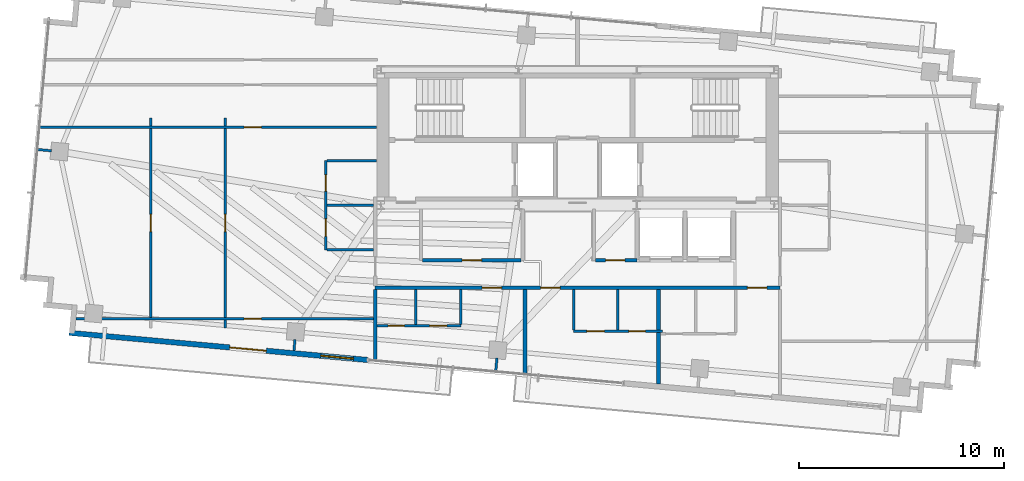
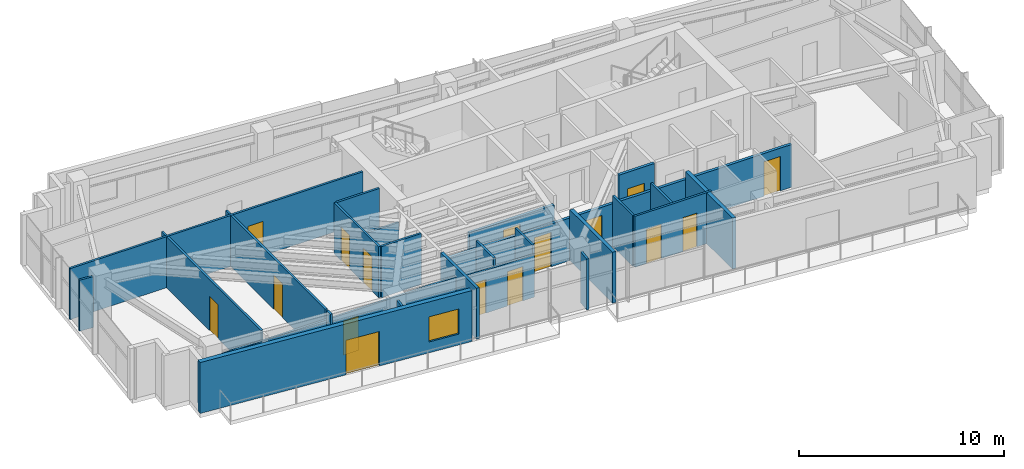
# One storey, part 16 of 22: 28 walls, 16 doors, 1 window, 17 openings.
"""IFC4 building model written with IfcOpenShell, lengths in metres."""

from ifc_helpers import new_model, si_unit, direction, frame, frame_2d, origin, place, context, subcontext, project, spatial, rectangle, extrude, source, transform, mapped, material, layer, layer_set, type_object, type_shapes, element, fill, save


model = new_model("IFC4")

# Units and contexts
model_context = context("Model", 3, precision=1e-05, world=origin(), true_north=direction((0.0, 1.0)))
body_context = subcontext(model_context, "Body", "Model", "MODEL_VIEW")
ifc_project = project(units=[si_unit("LENGTHUNIT", "METRE"), si_unit("AREAUNIT", "SQUARE_METRE"), si_unit("VOLUMEUNIT", "CUBIC_METRE"), si_unit("PLANEANGLEUNIT", "RADIAN"), si_unit("MASSUNIT", "GRAM", prefix="KILO")], contexts=[model_context])

# Site, building, storey
site_placement = place(None, origin())
site = spatial("IfcSite", under=ifc_project, at=site_placement, CompositionType="ELEMENT")
building_placement = place(site_placement, origin())
building = spatial("IfcBuilding", under=site, at=building_placement, Name="Astriad Promenade Condominiums", CompositionType="ELEMENT")
storey_placement = place(building_placement, frame((0.0, 0.0, 243.0)))
storey = spatial("IfcBuildingStorey", under=building, at=storey_placement, Name="L70", CompositionType="ELEMENT", Elevation=243.0)

# Wall, openings, doors
ifc_material_1 = material(Name="Fire-Rated Gypsum Partition")
ifc_layer_1 = layer(ifc_material_1, 0.159912109375)
ifc_layer_set_1 = layer_set([ifc_layer_1], Name="Fire-Rated Gypsum Partition")
wall_type_1 = type_object("IfcWallType", Name="WALL-CORR-160", PredefinedType="PARTITIONING", material=ifc_layer_set_1)
wall_1_placement = place(storey_placement, frame((26.1201171875, 13.360107421875, 0.0), z_axis=(0.0, 0.0, 1.0), x_axis=(1.0, 0.0, 0.0)))
wall_1 = element("IfcWall", 1, at=wall_1_placement, inside=storey, type_object=wall_type_1, Name="PT-COR-S-L70", PredefinedType="PARTITIONING", context=body_context, shape_type="SweptSolid", body=[
    extrude(rectangle(XDim=19.759765625, YDim=0.159912109375, at=frame_2d((9.8798828125, 0.0))), origin(), (0.0, 0.0, 1.0), 2.5498046875),
])
opening_1_placement = place(wall_1_placement, frame((5.220947265625, 0.0, 0.0)))
opening_1 = element("IfcOpeningElement", 2, at=opening_1_placement, cuts=wall_1, Name="Opening FD60-APT-095", PredefinedType="OPENING", context=body_context, shape_type="SweptSolid", body=[
    extrude(rectangle(XDim=0.949951171875, YDim=2.06005859375, at=frame_2d((0.47509765625, 1.030029296875))), frame((0.0, 0.08984375, 0.0), z_axis=(0.0, -1.0, 0.0), x_axis=(1.0, 0.0, 0.0)), (0.0, 0.0, 1.0), 0.179931640625),
])
opening_2_placement = place(wall_1_placement, frame((8.073974609375, 0.0, 0.0)))
opening_2 = element("IfcOpeningElement", 3, at=opening_2_placement, cuts=wall_1, Name="Opening FD60-APT-095", PredefinedType="OPENING", context=body_context, shape_type="SweptSolid", body=[
    extrude(rectangle(XDim=0.949951171875, YDim=2.06005859375, at=frame_2d((0.47509765625, 1.030029296875))), frame((0.0, 0.08984375, 0.0), z_axis=(0.0, -1.0, 0.0), x_axis=(1.0, 0.0, 0.0)), (0.0, 0.0, 1.0), 0.179931640625),
])
opening_3_placement = place(wall_1_placement, frame((18.169921875, 0.0, 0.0)))
opening_3 = element("IfcOpeningElement", 4, at=opening_3_placement, cuts=wall_1, Name="Opening FD60-APT-095", PredefinedType="OPENING", context=body_context, shape_type="SweptSolid", body=[
    extrude(rectangle(XDim=0.949951171875, YDim=2.06005859375, at=frame_2d((0.47509765625, 1.030029296875))), frame((0.0, 0.08984375, 0.0), z_axis=(0.0, -1.0, 0.0), x_axis=(1.0, 0.0, 0.0)), (0.0, 0.0, 1.0), 0.179931640625),
])
ifc_material_2 = material(Name="Solid-Core Acoustic Timber Residence Entry Door", Category="wood")
door_type_1 = type_object("IfcDoorType", Name="FD60-APT-095", OperationType="NOTDEFINED", PredefinedType="DOOR", material=ifc_material_2)
shared_shape_1 = source(origin(), body_context, "Body", "SweptSolid", [
    extrude(rectangle(XDim=0.949951171875, YDim=2.06005859375, at=frame_2d((0.47509765625, 1.030029296875))), frame((0.0, 0.02490234375, 0.0), z_axis=(0.0, -1.0, 0.0), x_axis=(1.0, 0.0, 0.0)), (0.0, 0.0, 1.0), 0.050048828125),
])
type_shapes(door_type_1, [shared_shape_1])
door_1_placement = place(opening_1_placement, origin())
door_1 = element("IfcDoor", 5, at=door_1_placement, inside=storey, type_object=door_type_1, Name="D-ENT-L70-S1", OperationType="SINGLE_SWING_LEFT", OverallHeight=2.06005859375, OverallWidth=0.949951171875, PredefinedType="DOOR", context=body_context, shape_type="MappedRepresentation", body=[
    mapped(shared_shape_1, transform((0.0, 0.0, 0.0), scale=1.0)),
])
fill(opening_1, door_1)
door_2_placement = place(opening_2_placement, origin())
door_2 = element("IfcDoor", 6, at=door_2_placement, inside=storey, type_object=door_type_1, Name="D-ENT-L70-S2", OperationType="SINGLE_SWING_RIGHT", OverallHeight=2.06005859375, OverallWidth=0.949951171875, PredefinedType="DOOR", context=body_context, shape_type="MappedRepresentation", body=[
    mapped(shared_shape_1, transform((0.0, 0.0, 0.0), scale=1.0)),
])
fill(opening_2, door_2)
door_3_placement = place(opening_3_placement, origin())
door_3 = element("IfcDoor", 7, at=door_3_placement, inside=storey, type_object=door_type_1, Name="D-ENT-L70-S3", OperationType="SINGLE_SWING_LEFT", OverallHeight=2.06005859375, OverallWidth=0.949951171875, PredefinedType="DOOR", context=body_context, shape_type="MappedRepresentation", body=[
    mapped(shared_shape_1, transform((0.0, 0.0, 0.0), scale=1.0)),
])
fill(opening_3, door_3)

# Wall
wall_2_placement = place(storey_placement, frame((26.1201171875, 9.75146484375, 0.0), z_axis=(0.0, 0.0, 1.0), x_axis=(0.0, 1.0, 0.0)))
element("IfcWall", 8, at=wall_2_placement, inside=storey, type_object=wall_type_1, Name="PT-COR-W-L70", PredefinedType="PARTITIONING", context=body_context, shape_type="SweptSolid", body=[
    extrude(rectangle(XDim=3.526611328125, YDim=0.159912109375, at=frame_2d((1.76318359375, 0.0))), origin(), (0.0, 0.0, 1.0), 3.0400390625),
])

# Wall, opening, door
wall_3_placement = place(storey_placement, frame((28.44189453125, 14.699951171875, 0.0), z_axis=(0.0, 0.0, 1.0), x_axis=(1.0, 0.0, 0.0)))
wall_3 = element("IfcWall", 9, at=wall_3_placement, inside=storey, type_object=wall_type_1, Name="PT-Z3REC-S-L70", PredefinedType="PARTITIONING", context=body_context, shape_type="SweptSolid", body=[
    extrude(rectangle(XDim=4.796142578125, YDim=0.159912109375, at=frame_2d((2.39794921875, 0.0))), origin(), (0.0, 0.0, 1.0), 2.5498046875),
])
opening_4_placement = place(wall_3_placement, frame((1.923095703125, 0.0, 0.0)))
opening_4 = element("IfcOpeningElement", 10, at=opening_4_placement, cuts=wall_3, Name="Opening FD60-APT-095", PredefinedType="OPENING", context=body_context, shape_type="SweptSolid", body=[
    extrude(rectangle(XDim=0.949951171875, YDim=2.06005859375, at=frame_2d((0.47509765625, 1.030029296875))), frame((0.0, 0.08984375, 0.0), z_axis=(0.0, -1.0, 0.0), x_axis=(1.0, 0.0, 0.0)), (0.0, 0.0, 1.0), 0.179931640625),
])
door_4_placement = place(opening_4_placement, origin())
door_4 = element("IfcDoor", 11, at=door_4_placement, inside=storey, type_object=door_type_1, Name="D-Z3R-L70", OperationType="SINGLE_SWING_RIGHT", OverallHeight=2.06005859375, OverallWidth=0.949951171875, PredefinedType="DOOR", context=body_context, shape_type="MappedRepresentation", body=[
    mapped(shared_shape_1, transform((0.0, 0.0, 0.0), scale=1.0)),
])
fill(opening_4, door_4)

wall_4_placement = place(storey_placement, frame((36.882080078125, 14.699951171875, 0.0), z_axis=(0.0, 0.0, 1.0), x_axis=(1.0, 0.0, 0.0)))
wall_4 = element("IfcWall", 12, at=wall_4_placement, inside=storey, type_object=wall_type_1, Name="PT-Z3R2-S-L70", PredefinedType="PARTITIONING", context=body_context, shape_type="SweptSolid", body=[
    extrude(rectangle(XDim=2.017822265625, YDim=0.159912109375, at=frame_2d((1.0087890625, 0.0))), origin(), (0.0, 0.0, 1.0), 3.0400390625),
])
opening_5_placement = place(wall_4_placement, frame((0.48291015625, 0.0, 0.0)))
opening_5 = element("IfcOpeningElement", 13, at=opening_5_placement, cuts=wall_4, Name="Opening FD60-APT-095", PredefinedType="OPENING", context=body_context, shape_type="SweptSolid", body=[
    extrude(rectangle(XDim=0.949951171875, YDim=2.06005859375, at=frame_2d((0.47509765625, 1.030029296875))), frame((0.0, 0.08984375, 0.0), z_axis=(0.0, -1.0, 0.0), x_axis=(1.0, 0.0, 0.0)), (0.0, 0.0, 1.0), 0.179931640625),
])
door_5_placement = place(opening_5_placement, origin())
door_5 = element("IfcDoor", 14, at=door_5_placement, inside=storey, type_object=door_type_1, Name="D-Z3N-L70", OperationType="SINGLE_SWING_LEFT", OverallHeight=2.06005859375, OverallWidth=0.949951171875, PredefinedType="DOOR", context=body_context, shape_type="MappedRepresentation", body=[
    mapped(shared_shape_1, transform((0.0, 0.0, 0.0), scale=1.0)),
])
fill(opening_5, door_5)

# Walls
ifc_material_3 = material(Name="Acoustic Double-Stud Gypsum Partition")
ifc_layer_2 = layer(ifc_material_3, 0.199951171875)
ifc_layer_set_2 = layer_set([ifc_layer_2], Name="Acoustic Double-Stud Gypsum Partition")
wall_type_2 = type_object("IfcWallType", Name="WALL-DEMISING-200", PredefinedType="PARTITIONING", material=ifc_layer_set_2)
wall_5_placement = place(storey_placement, frame((33.430908203125, 9.086181640625, 0.0), z_axis=(0.0, 0.0, 1.0), x_axis=(0.0, 1.0, 0.0)))
element("IfcWall", 15, at=wall_5_placement, inside=storey, type_object=wall_type_2, Name="PT-DEM-S1-L70", PredefinedType="PARTITIONING", context=body_context, shape_type="SweptSolid", body=[
    extrude(rectangle(XDim=4.19189453125, YDim=0.199951171875, at=frame_2d((2.095947265625, 0.0))), origin(), (0.0, 0.0, 1.0), 3.0400390625),
])
wall_6_placement = place(storey_placement, frame((39.951904296875, 8.67529296875, 0.0), z_axis=(0.0, 0.0, 1.0), x_axis=(0.0, 1.0, 0.0)))
element("IfcWall", 16, at=wall_6_placement, inside=storey, type_object=wall_type_2, Name="PT-DEM-S2-L70", PredefinedType="PARTITIONING", context=body_context, shape_type="SweptSolid", body=[
    extrude(rectangle(XDim=2.51171875, YDim=0.199951171875, at=frame_2d((1.255859375, 0.0))), origin(), (0.0, 0.0, 1.0), 3.0400390625),
])
wall_7_placement = place(storey_placement, frame((39.951904296875, 11.31103515625, 0.0), z_axis=(0.0, 0.0, 1.0), x_axis=(0.0, 1.0, 0.0)))
element("IfcWall", 17, at=wall_7_placement, inside=storey, type_object=wall_type_2, Name="PT-DEM-S2-L70-S2", PredefinedType="PARTITIONING", context=body_context, shape_type="SweptSolid", body=[
    extrude(rectangle(XDim=1.967041015625, YDim=0.199951171875, at=frame_2d((0.9833984375, 0.0))), origin(), (0.0, 0.0, 1.0), 3.0400390625),
])

# Wall, openings, door, window
ifc_material_4 = material(Name="Precast concrete C50/60", Category="concrete")
ifc_layer_3 = layer(ifc_material_4, 0.260009765625)
ifc_layer_set_3 = layer_set([ifc_layer_3], Name="Precast concrete C50/60")
wall_type_3 = type_object("IfcWallType", Name="WALL-EXT-TWR-260", PredefinedType="STANDARD", material=ifc_layer_set_3)
wall_8_placement = place(storey_placement, frame((25.760986328125, 9.83447265625, 0.0), z_axis=(0.0, 0.0, 1.0), x_axis=(-0.995884584572, 0.090630536861, 0.0)))
wall_8 = element("IfcWall", 18, at=wall_8_placement, inside=storey, type_object=wall_type_3, Name="W-EXT-L70-S2", PredefinedType="STANDARD", context=body_context, shape_type="SweptSolid", body=[
    extrude(rectangle(XDim=14.630126953125, YDim=0.260009765625, at=frame_2d((7.31494140625, 0.0))), origin(), (0.0, 0.0, 1.0), 3.0400390625),
])
opening_6_placement = place(wall_8_placement, frame((4.969970703125, 0.0, 0.0)))
opening_6 = element("IfcOpeningElement", 19, at=opening_6_placement, cuts=wall_8, Name="Opening BD-1822-SLD", PredefinedType="OPENING", context=body_context, shape_type="SweptSolid", body=[
    extrude(rectangle(XDim=1.800048828125, YDim=2.06005859375, at=frame_2d((0.89990234375, 1.030029296875))), frame((0.0, 0.139892578125, 0.0), z_axis=(0.0, -1.0, 0.0), x_axis=(1.0, 0.0, 0.0)), (0.0, 0.0, 1.0), 0.280029296875),
])
opening_7_placement = place(wall_8_placement, frame((0.699951171875, 0.0, 0.64990234375)))
opening_7 = element("IfcOpeningElement", 20, at=opening_7_placement, cuts=wall_8, Name="Opening WIN-TWR-1620", PredefinedType="OPENING", context=body_context, shape_type="SweptSolid", body=[
    extrude(rectangle(XDim=1.60009765625, YDim=1.5, at=frame_2d((0.800048828125, 0.75))), frame((0.0, 0.139892578125, 0.0), z_axis=(0.0, -1.0, 0.0), x_axis=(1.0, 0.0, 0.0)), (0.0, 0.0, 1.0), 0.280029296875),
])
ifc_material_5 = material(Name="Thermally Broken Aluminium Sliding Balcony Door", Category="aluminium")
door_type_2 = type_object("IfcDoorType", Name="BD-1822-SLD", OperationType="NOTDEFINED", PredefinedType="DOOR", material=ifc_material_5)
shared_shape_2 = source(origin(), body_context, "Body", "SweptSolid", [
    extrude(rectangle(XDim=1.800048828125, YDim=2.06005859375, at=frame_2d((0.89990234375, 1.030029296875))), frame((0.0, 0.02490234375, 0.0), z_axis=(0.0, -1.0, 0.0), x_axis=(1.0, 0.0, 0.0)), (0.0, 0.0, 1.0), 0.050048828125),
])
type_shapes(door_type_2, [shared_shape_2])
door_6_placement = place(opening_6_placement, origin())
door_6 = element("IfcDoor", 21, at=door_6_placement, inside=storey, type_object=door_type_2, Name="BD-L70-SW", OperationType="SLIDING_TO_LEFT", OverallHeight=2.06005859375, OverallWidth=1.800048828125, PredefinedType="DOOR", context=body_context, shape_type="MappedRepresentation", body=[
    mapped(shared_shape_2, transform((0.0, 0.0, 0.0), scale=1.0)),
])
fill(opening_6, door_6)
ifc_material_6 = material(Name="Dark Tinted Triple-Glazed Aluminium Window", Category="aluminium")
window_type = type_object("IfcWindowType", Name="WIN-TWR-1620", PartitioningType="SINGLE_PANEL", PredefinedType="WINDOW", material=ifc_material_6)
shared_shape_3 = source(origin(), body_context, "Body", "SweptSolid", [
    extrude(rectangle(XDim=1.60009765625, YDim=1.5, at=frame_2d((0.800048828125, 0.75))), frame((0.0, 0.030029296875, 0.0), z_axis=(0.0, -1.0, 0.0), x_axis=(1.0, 0.0, 0.0)), (0.0, 0.0, 1.0), 0.06005859375),
])
type_shapes(window_type, [shared_shape_3])
window_placement = place(opening_7_placement, origin())
window = element("IfcWindow", 22, at=window_placement, inside=storey, type_object=window_type, Name="WIN-L70-SW", OverallHeight=1.5, OverallWidth=1.60009765625, PartitioningType="SINGLE_PANEL", PredefinedType="WINDOW", context=body_context, shape_type="MappedRepresentation", body=[
    mapped(shared_shape_3, transform((0.0, 0.0, 0.0), scale=1.0)),
])
fill(opening_7, window)

# Wall, openings, doors
ifc_material_7 = material(Name="Acoustic Metal-Stud Gypsum Partition")
ifc_layer_4 = layer(ifc_material_7, 0.1201171875)
ifc_layer_set_4 = layer_set([ifc_layer_4], Name="Acoustic Metal-Stud Gypsum Partition")
wall_type_4 = type_object("IfcWallType", Name="WALL-PART-120", PredefinedType="PARTITIONING", material=ifc_layer_set_4)
wall_9_placement = place(storey_placement, frame((26.201904296875, 11.510009765625, 0.0), z_axis=(0.0, 0.0, 1.0), x_axis=(1.0, 0.0, 0.0)))
wall_9 = element("IfcWall", 23, at=wall_9_placement, inside=storey, type_object=wall_type_4, Name="PT-L70-S1-PS", PredefinedType="PARTITIONING", context=body_context, shape_type="SweptSolid", body=[
    extrude(rectangle(XDim=4.09814453125, YDim=0.1201171875, at=frame_2d((2.049072265625, 0.0))), origin(), (0.0, 0.0, 1.0), 2.5498046875),
])
opening_8_placement = place(wall_9_placement, frame((0.548095703125, 0.0, 0.0)))
opening_8 = element("IfcOpeningElement", 24, at=opening_8_placement, cuts=wall_9, Name="Opening D-WET-080", PredefinedType="OPENING", context=body_context, shape_type="SweptSolid", body=[
    extrude(rectangle(XDim=0.800048828125, YDim=2.02001953125, at=frame_2d((0.39990234375, 1.010009765625))), frame((0.0, 0.070068359375, 0.0), z_axis=(0.0, -1.0, 0.0), x_axis=(1.0, 0.0, 0.0)), (0.0, 0.0, 1.0), 0.14013671875),
])
opening_9_placement = place(wall_9_placement, frame((2.572998046875, 0.0, 0.0)))
opening_9 = element("IfcOpeningElement", 25, at=opening_9_placement, cuts=wall_9, Name="Opening D-INT-085", PredefinedType="OPENING", context=body_context, shape_type="SweptSolid", body=[
    extrude(rectangle(XDim=0.85009765625, YDim=2.050048828125, at=frame_2d((0.425048828125, 1.02490234375))), frame((0.0, 0.070068359375, 0.0), z_axis=(0.0, -1.0, 0.0), x_axis=(1.0, 0.0, 0.0)), (0.0, 0.0, 1.0), 0.14013671875),
])
ifc_material_8 = material(Name="Moisture-Resistant Timber Bathroom Door", Category="wood")
door_type_3 = type_object("IfcDoorType", Name="D-WET-080", OperationType="NOTDEFINED", PredefinedType="DOOR", material=ifc_material_8)
shared_shape_4 = source(origin(), body_context, "Body", "SweptSolid", [
    extrude(rectangle(XDim=0.800048828125, YDim=2.02001953125, at=frame_2d((0.39990234375, 1.010009765625))), frame((0.0, 0.02490234375, 0.0), z_axis=(0.0, -1.0, 0.0), x_axis=(1.0, 0.0, 0.0)), (0.0, 0.0, 1.0), 0.050048828125),
])
type_shapes(door_type_3, [shared_shape_4])
door_7_placement = place(opening_8_placement, origin())
door_7 = element("IfcDoor", 26, at=door_7_placement, inside=storey, type_object=door_type_3, Name="D-BTH-L70-S1", OperationType="SINGLE_SWING_RIGHT", OverallHeight=2.02001953125, OverallWidth=0.800048828125, PredefinedType="DOOR", context=body_context, shape_type="MappedRepresentation", body=[
    mapped(shared_shape_4, transform((0.0, 0.0, 0.0), scale=1.0)),
])
fill(opening_8, door_7)
ifc_material_9 = material(Name="Painted Solid-Core Timber Room Door", Category="wood")
door_type_4 = type_object("IfcDoorType", Name="D-INT-085", OperationType="NOTDEFINED", PredefinedType="DOOR", material=ifc_material_9)
shared_shape_5 = source(origin(), body_context, "Body", "SweptSolid", [
    extrude(rectangle(XDim=0.85009765625, YDim=2.050048828125, at=frame_2d((0.425048828125, 1.02490234375))), frame((0.0, 0.02490234375, 0.0), z_axis=(0.0, -1.0, 0.0), x_axis=(1.0, 0.0, 0.0)), (0.0, 0.0, 1.0), 0.050048828125),
])
type_shapes(door_type_4, [shared_shape_5])
door_8_placement = place(opening_9_placement, origin())
door_8 = element("IfcDoor", 27, at=door_8_placement, inside=storey, type_object=door_type_4, Name="D-KIT-L70-S1", OperationType="SINGLE_SWING_LEFT", OverallHeight=2.050048828125, OverallWidth=0.85009765625, PredefinedType="DOOR", context=body_context, shape_type="MappedRepresentation", body=[
    mapped(shared_shape_5, transform((0.0, 0.0, 0.0), scale=1.0)),
])
fill(opening_9, door_8)

# Walls
for number, where, z_axis, x_axis, name in (
    (28, (30.300048828125, 11.572021484375, 0.0), (0.0, 0.0, 1.0), (0.0, 1.0, 0.0), "PT-L70-S1-PK"),
    (29, (28.10009765625, 11.572021484375, 0.0), (0.0, 0.0, 1.0), (0.0, 1.0, 0.0), "PT-L70-S1-PB"),
):
    element("IfcWall", number, at=place(storey_placement, frame(where, z_axis=z_axis, x_axis=x_axis)), inside=storey, type_object=wall_type_4, Name=name, PredefinedType="PARTITIONING", context=body_context, shape_type="SweptSolid", body=[
        extrude(rectangle(XDim=1.7060546875, YDim=0.1201171875, at=frame_2d((0.85302734375, 0.0))), origin(), (0.0, 0.0, 1.0), 3.0400390625),
    ])

# Wall, openings, doors
wall_10_placement = place(storey_placement, frame((35.806884765625, 11.2490234375, 0.0), z_axis=(0.0, 0.0, 1.0), x_axis=(1.0, 0.0, 0.0)))
wall_10 = element("IfcWall", 30, at=wall_10_placement, inside=storey, type_object=wall_type_4, Name="PT-L70-S2-PS", PredefinedType="PARTITIONING", context=body_context, shape_type="SweptSolid", body=[
    extrude(rectangle(XDim=4.34521484375, YDim=0.1201171875, at=frame_2d((2.172607421875, 0.0))), origin(), (0.0, 0.0, 1.0), 3.0400390625),
])
opening_10_placement = place(wall_10_placement, frame((0.64990234375, 0.0, 0.0)))
opening_10 = element("IfcOpeningElement", 31, at=opening_10_placement, cuts=wall_10, Name="Opening D-INT-085", PredefinedType="OPENING", context=body_context, shape_type="SweptSolid", body=[
    extrude(rectangle(XDim=0.85009765625, YDim=2.050048828125, at=frame_2d((0.425048828125, 1.02490234375))), frame((0.0, 0.070068359375, 0.0), z_axis=(0.0, -1.0, 0.0), x_axis=(1.0, 0.0, 0.0)), (0.0, 0.0, 1.0), 0.14013671875),
])
opening_11_placement = place(wall_10_placement, frame((2.697021484375, 0.0, 0.0)))
opening_11 = element("IfcOpeningElement", 32, at=opening_11_placement, cuts=wall_10, Name="Opening D-WET-080", PredefinedType="OPENING", context=body_context, shape_type="SweptSolid", body=[
    extrude(rectangle(XDim=0.800048828125, YDim=2.02001953125, at=frame_2d((0.39990234375, 1.010009765625))), frame((0.0, 0.070068359375, 0.0), z_axis=(0.0, -1.0, 0.0), x_axis=(1.0, 0.0, 0.0)), (0.0, 0.0, 1.0), 0.14013671875),
])
door_9_placement = place(opening_11_placement, origin())
door_9 = element("IfcDoor", 33, at=door_9_placement, inside=storey, type_object=door_type_3, Name="D-BTH-L70-S2", OperationType="SINGLE_SWING_RIGHT", OverallHeight=2.02001953125, OverallWidth=0.800048828125, PredefinedType="DOOR", context=body_context, shape_type="MappedRepresentation", body=[
    mapped(shared_shape_4, transform((0.0, 0.0, 0.0), scale=1.0)),
])
fill(opening_11, door_9)
door_10_placement = place(opening_10_placement, origin())
door_10 = element("IfcDoor", 34, at=door_10_placement, inside=storey, type_object=door_type_4, Name="D-KIT-L70-S2", OperationType="SINGLE_SWING_LEFT", OverallHeight=2.050048828125, OverallWidth=0.85009765625, PredefinedType="DOOR", context=body_context, shape_type="MappedRepresentation", body=[
    mapped(shared_shape_5, transform((0.0, 0.0, 0.0), scale=1.0)),
])
fill(opening_10, door_10)

# Walls
for number, where, z_axis, x_axis, name in (
    (35, (35.806884765625, 11.31103515625, 0.0), (0.0, 0.0, 1.0), (0.0, 1.0, 0.0), "PT-L70-S2-PK"),
    (36, (37.9560546875, 11.31103515625, 0.0), (0.0, 0.0, 1.0), (0.0, 1.0, 0.0), "PT-L70-S2-PB"),
):
    element("IfcWall", number, at=place(storey_placement, frame(where, z_axis=z_axis, x_axis=x_axis)), inside=storey, type_object=wall_type_4, Name=name, PredefinedType="PARTITIONING", context=body_context, shape_type="SweptSolid", body=[
        extrude(rectangle(XDim=1.967041015625, YDim=0.1201171875, at=frame_2d((0.9833984375, 0.0))), origin(), (0.0, 0.0, 1.0), 3.0400390625),
    ])

# Wall, openings, doors
wall_11_placement = place(storey_placement, frame((23.719970703125, 15.2099609375, 0.0), z_axis=(0.0, 0.0, 1.0), x_axis=(0.0, 1.0, 0.0)))
wall_11 = element("IfcWall", 37, at=wall_11_placement, inside=storey, type_object=wall_type_4, Name="PT-L70-W1-PV", PredefinedType="PARTITIONING", context=body_context, shape_type="SweptSolid", body=[
    extrude(rectangle(XDim=4.35009765625, YDim=0.1201171875, at=frame_2d((2.175048828125, 0.0))), origin(), (0.0, 0.0, 1.0), 3.0400390625),
])
opening_12_placement = place(wall_11_placement, frame((0.662109375, 0.0, 0.0)))
opening_12 = element("IfcOpeningElement", 38, at=opening_12_placement, cuts=wall_11, Name="Opening D-INT-085", PredefinedType="OPENING", context=body_context, shape_type="SweptSolid", body=[
    extrude(rectangle(XDim=0.85009765625, YDim=2.050048828125, at=frame_2d((0.425048828125, 1.02490234375))), frame((0.0, 0.070068359375, 0.0), z_axis=(0.0, -1.0, 0.0), x_axis=(1.0, 0.0, 0.0)), (0.0, 0.0, 1.0), 0.14013671875),
])
opening_13_placement = place(wall_11_placement, frame((2.863037109375, 0.0, 0.0)))
opening_13 = element("IfcOpeningElement", 39, at=opening_13_placement, cuts=wall_11, Name="Opening D-WET-080", PredefinedType="OPENING", context=body_context, shape_type="SweptSolid", body=[
    extrude(rectangle(XDim=0.800048828125, YDim=2.02001953125, at=frame_2d((0.39990234375, 1.010009765625))), frame((0.0, 0.070068359375, 0.0), z_axis=(0.0, -1.0, 0.0), x_axis=(1.0, 0.0, 0.0)), (0.0, 0.0, 1.0), 0.14013671875),
])
door_11_placement = place(opening_13_placement, origin())
door_11 = element("IfcDoor", 40, at=door_11_placement, inside=storey, type_object=door_type_3, Name="D-BTH-L70-W1", OperationType="SINGLE_SWING_RIGHT", OverallHeight=2.02001953125, OverallWidth=0.800048828125, PredefinedType="DOOR", context=body_context, shape_type="MappedRepresentation", body=[
    mapped(shared_shape_4, transform((0.0, 0.0, 0.0), scale=1.0)),
])
fill(opening_13, door_11)
door_12_placement = place(opening_12_placement, origin())
door_12 = element("IfcDoor", 41, at=door_12_placement, inside=storey, type_object=door_type_4, Name="D-KIT-L70-W1", OperationType="SINGLE_SWING_LEFT", OverallHeight=2.050048828125, OverallWidth=0.85009765625, PredefinedType="DOOR", context=body_context, shape_type="MappedRepresentation", body=[
    mapped(shared_shape_5, transform((0.0, 0.0, 0.0), scale=1.0)),
])
fill(opening_12, door_12)

# Walls
wall_12_placement = place(storey_placement, frame((23.781982421875, 17.385009765625, 0.0), z_axis=(0.0, 0.0, 1.0), x_axis=(1.0, 0.0, 0.0)))
element("IfcWall", 42, at=wall_12_placement, inside=storey, type_object=wall_type_4, Name="PT-L70-W1-PM", PredefinedType="PARTITIONING", context=body_context, shape_type="SweptSolid", body=[
    extrude(rectangle(XDim=2.256103515625, YDim=0.1201171875, at=frame_2d((1.1279296875, 0.0))), origin(), (0.0, 0.0, 1.0), 2.38134765625),
])
wall_13_placement = place(storey_placement, frame((23.781982421875, 15.2099609375, 0.0), z_axis=(0.0, 0.0, 1.0), x_axis=(1.0, 0.0, 0.0)))
element("IfcWall", 43, at=wall_13_placement, inside=storey, type_object=wall_type_4, Name="PT-L70-W1-PS", PredefinedType="PARTITIONING", context=body_context, shape_type="SweptSolid", body=[
    extrude(rectangle(XDim=2.256103515625, YDim=0.1201171875, at=frame_2d((1.1279296875, 0.0))), origin(), (0.0, 0.0, 1.0), 3.0400390625),
])
wall_14_placement = place(storey_placement, frame((23.781982421875, 19.56005859375, 0.0), z_axis=(0.0, 0.0, 1.0), x_axis=(1.0, 0.0, 0.0)))
element("IfcWall", 44, at=wall_14_placement, inside=storey, type_object=wall_type_4, Name="PT-L70-W1-PN", PredefinedType="PARTITIONING", context=body_context, shape_type="SweptSolid", body=[
    extrude(rectangle(XDim=2.416015625, YDim=0.1201171875, at=frame_2d((1.2080078125, 0.0))), origin(), (0.0, 0.0, 1.0), 3.0400390625),
])

# Wall, opening, door
wall_15_placement = place(storey_placement, frame((11.51611328125, 11.840087890625, 0.0), z_axis=(0.0, 0.0, 1.0), x_axis=(1.0, 0.0, 0.0)))
wall_15 = element("IfcWall", 45, at=wall_15_placement, inside=storey, type_object=wall_type_4, Name="PT-L70-W1-WDS3", PredefinedType="PARTITIONING", context=body_context, shape_type="SweptSolid", body=[
    extrude(rectangle(XDim=14.52197265625, YDim=0.1201171875, at=frame_2d((7.260986328125, 0.0))), origin(), (0.0, 0.0, 1.0), 2.482421875),
])
opening_14_placement = place(wall_15_placement, frame((8.205810546875, 0.0, 0.0)))
opening_14 = element("IfcOpeningElement", 46, at=opening_14_placement, cuts=wall_15, Name="Opening D-INT-085", PredefinedType="OPENING", context=body_context, shape_type="SweptSolid", body=[
    extrude(rectangle(XDim=0.85009765625, YDim=2.050048828125, at=frame_2d((0.425048828125, 1.02490234375))), frame((0.0, 0.070068359375, 0.0), z_axis=(0.0, -1.0, 0.0), x_axis=(1.0, 0.0, 0.0)), (0.0, 0.0, 1.0), 0.14013671875),
])
door_13_placement = place(opening_14_placement, origin())
door_13 = element("IfcDoor", 47, at=door_13_placement, inside=storey, type_object=door_type_4, Name="D-WDS3-L70-W1", OperationType="SINGLE_SWING_LEFT", OverallHeight=2.050048828125, OverallWidth=0.85009765625, PredefinedType="DOOR", context=body_context, shape_type="MappedRepresentation", body=[
    mapped(shared_shape_5, transform((0.0, 0.0, 0.0), scale=1.0)),
])
fill(opening_14, door_13)

wall_16_placement = place(storey_placement, frame((9.6748046875, 21.198974609375, 0.0), z_axis=(0.0, 0.0, 1.0), x_axis=(1.0, 0.0, 0.0)))
wall_16 = element("IfcWall", 48, at=wall_16_placement, inside=storey, type_object=wall_type_4, Name="PT-L70-W1-WDN4", PredefinedType="PARTITIONING", context=body_context, shape_type="SweptSolid", body=[
    extrude(rectangle(XDim=16.523193359375, YDim=0.1201171875, at=frame_2d((8.26171875, 0.0))), origin(), (0.0, 0.0, 1.0), 3.0400390625),
])
opening_15_placement = place(wall_16_placement, frame((10.047119140625, 0.0, 0.0)))
opening_15 = element("IfcOpeningElement", 49, at=opening_15_placement, cuts=wall_16, Name="Opening D-INT-085", PredefinedType="OPENING", context=body_context, shape_type="SweptSolid", body=[
    extrude(rectangle(XDim=0.85009765625, YDim=2.050048828125, at=frame_2d((0.425048828125, 1.02490234375))), frame((0.0, 0.070068359375, 0.0), z_axis=(0.0, -1.0, 0.0), x_axis=(1.0, 0.0, 0.0)), (0.0, 0.0, 1.0), 0.14013671875),
])
door_14_placement = place(opening_15_placement, origin())
door_14 = element("IfcDoor", 50, at=door_14_placement, inside=storey, type_object=door_type_4, Name="D-WDN4-L70-W1", OperationType="SINGLE_SWING_RIGHT", OverallHeight=2.050048828125, OverallWidth=0.85009765625, PredefinedType="DOOR", context=body_context, shape_type="MappedRepresentation", body=[
    mapped(shared_shape_5, transform((0.0, 0.0, 0.0), scale=1.0)),
])
fill(opening_15, door_14)

wall_17_placement = place(storey_placement, frame((15.172119140625, 11.902099609375, 0.0), z_axis=(0.0, 0.0, 1.0), x_axis=(0.0, 1.0, 0.0)))
wall_17 = element("IfcWall", 51, at=wall_17_placement, inside=storey, type_object=wall_type_4, Name="PT-L70-W1-WDV5-S2", PredefinedType="PARTITIONING", context=body_context, shape_type="SweptSolid", body=[
    extrude(rectangle(XDim=9.23486328125, YDim=0.1201171875, at=frame_2d((4.617431640625, 0.0))), origin(), (0.0, 0.0, 1.0), 3.0400390625),
])
opening_16_placement = place(wall_17_placement, frame((4.193115234375, 0.0, 0.0)))
opening_16 = element("IfcOpeningElement", 52, at=opening_16_placement, cuts=wall_17, Name="Opening D-INT-085", PredefinedType="OPENING", context=body_context, shape_type="SweptSolid", body=[
    extrude(rectangle(XDim=0.85009765625, YDim=2.050048828125, at=frame_2d((0.425048828125, 1.02490234375))), frame((0.0, 0.070068359375, 0.0), z_axis=(0.0, -1.0, 0.0), x_axis=(1.0, 0.0, 0.0)), (0.0, 0.0, 1.0), 0.14013671875),
])
door_15_placement = place(opening_16_placement, origin())
door_15 = element("IfcDoor", 53, at=door_15_placement, inside=storey, type_object=door_type_4, Name="D-WDV5-L70-W1", OperationType="SINGLE_SWING_LEFT", OverallHeight=2.050048828125, OverallWidth=0.85009765625, PredefinedType="DOOR", context=body_context, shape_type="MappedRepresentation", body=[
    mapped(shared_shape_5, transform((0.0, 0.0, 0.0), scale=1.0)),
])
fill(opening_16, door_15)

# Walls
wall_18_placement = place(storey_placement, frame((15.172119140625, 21.260986328125, 0.0), z_axis=(0.0, 0.0, 1.0), x_axis=(0.0, 1.0, 0.0)))
element("IfcWall", 54, at=wall_18_placement, inside=storey, type_object=wall_type_4, Name="PT-L70-W1-WDV5-S3", PredefinedType="PARTITIONING", context=body_context, shape_type="SweptSolid", body=[
    extrude(rectangle(XDim=0.3779296875, YDim=0.1201171875, at=frame_2d((0.18896484375, 0.0))), origin(), (0.0, 0.0, 1.0), 3.0400390625),
])
wall_19_placement = place(storey_placement, frame((18.797119140625, 11.39990234375, 0.0), z_axis=(0.0, 0.0, 1.0), x_axis=(0.0, 1.0, 0.0)))
element("IfcWall", 55, at=wall_19_placement, inside=storey, type_object=wall_type_4, Name="PT-L70-W1-WDV6", PredefinedType="PARTITIONING", context=body_context, shape_type="SweptSolid", body=[
    extrude(rectangle(XDim=0.378173828125, YDim=0.1201171875, at=frame_2d((0.18896484375, 0.0))), origin(), (0.0, 0.0, 1.0), 3.0400390625),
])

# Wall, opening, door
wall_20_placement = place(storey_placement, frame((18.797119140625, 11.902099609375, 0.0), z_axis=(0.0, 0.0, 1.0), x_axis=(0.0, 1.0, 0.0)))
wall_20 = element("IfcWall", 56, at=wall_20_placement, inside=storey, type_object=wall_type_4, Name="PT-L70-W1-WDV6-S2", PredefinedType="PARTITIONING", context=body_context, shape_type="SweptSolid", body=[
    extrude(rectangle(XDim=9.23486328125, YDim=0.1201171875, at=frame_2d((4.617431640625, 0.0))), origin(), (0.0, 0.0, 1.0), 3.0400390625),
])
opening_17_placement = place(wall_20_placement, frame((4.193115234375, 0.0, 0.0)))
opening_17 = element("IfcOpeningElement", 57, at=opening_17_placement, cuts=wall_20, Name="Opening D-INT-085", PredefinedType="OPENING", context=body_context, shape_type="SweptSolid", body=[
    extrude(rectangle(XDim=0.85009765625, YDim=2.050048828125, at=frame_2d((0.425048828125, 1.02490234375))), frame((0.0, 0.070068359375, 0.0), z_axis=(0.0, -1.0, 0.0), x_axis=(1.0, 0.0, 0.0)), (0.0, 0.0, 1.0), 0.14013671875),
])
door_16_placement = place(opening_17_placement, origin())
door_16 = element("IfcDoor", 58, at=door_16_placement, inside=storey, type_object=door_type_4, Name="D-WDV6-L70-W1", OperationType="SINGLE_SWING_RIGHT", OverallHeight=2.050048828125, OverallWidth=0.85009765625, PredefinedType="DOOR", context=body_context, shape_type="MappedRepresentation", body=[
    mapped(shared_shape_5, transform((0.0, 0.0, 0.0), scale=1.0)),
])
fill(opening_17, door_16)

# Walls
wall_21_placement = place(storey_placement, frame((18.797119140625, 21.260986328125, 0.0), z_axis=(0.0, 0.0, 1.0), x_axis=(0.0, 1.0, 0.0)))
element("IfcWall", 59, at=wall_21_placement, inside=storey, type_object=wall_type_4, Name="PT-L70-W1-WDV6-S3", PredefinedType="PARTITIONING", context=body_context, shape_type="SweptSolid", body=[
    extrude(rectangle(XDim=0.3779296875, YDim=0.1201171875, at=frame_2d((0.18896484375, 0.0))), origin(), (0.0, 0.0, 1.0), 3.0400390625),
])
wall_22_placement = place(storey_placement, frame((22.206787109375, 10.83056640625, 0.0), z_axis=(0.0, 0.0, 1.0), x_axis=(-0.090781299264, -0.995870852924, 0.0)))
element("IfcWall", 60, at=wall_22_placement, inside=storey, type_object=wall_type_4, Name="PT-PIL-L70-PC02-9", PredefinedType="PARTITIONING", context=body_context, shape_type="SweptSolid", body=[
    extrude(rectangle(XDim=0.537841796875, YDim=0.1201171875, at=frame_2d((0.26904296875, 0.0))), origin(), (0.0, 0.0, 1.0), 3.0400390625),
])
wall_23_placement = place(storey_placement, frame((32.06591796875, 9.933349609375, 0.0), z_axis=(0.0, 0.0, 1.0), x_axis=(-0.090872036342, -0.995862577373, 0.0)))
element("IfcWall", 61, at=wall_23_placement, inside=storey, type_object=wall_type_4, Name="PT-PIL-L70-PC03-10", PredefinedType="PARTITIONING", context=body_context, shape_type="SweptSolid", body=[
    extrude(rectangle(XDim=0.719970703125, YDim=0.1201171875, at=frame_2d((0.35986328125, 0.0))), origin(), (0.0, 0.0, 1.0), 3.0400390625),
])
wall_24_placement = place(storey_placement, frame((10.3330078125, 20.044677734375, 0.0), z_axis=(0.0, 0.0, 1.0), x_axis=(-0.995890573658, 0.09056470228, 0.0)))
element("IfcWall", 62, at=wall_24_placement, inside=storey, type_object=wall_type_4, Name="PT-PIL-L70-PC11-18", PredefinedType="PARTITIONING", context=body_context, shape_type="SweptSolid", body=[
    extrude(rectangle(XDim=0.76025390625, YDim=0.1201171875, at=frame_2d((0.380126953125, 0.0))), origin(), (0.0, 0.0, 1.0), 3.0400390625),
])

save(model, "model.ifc")
